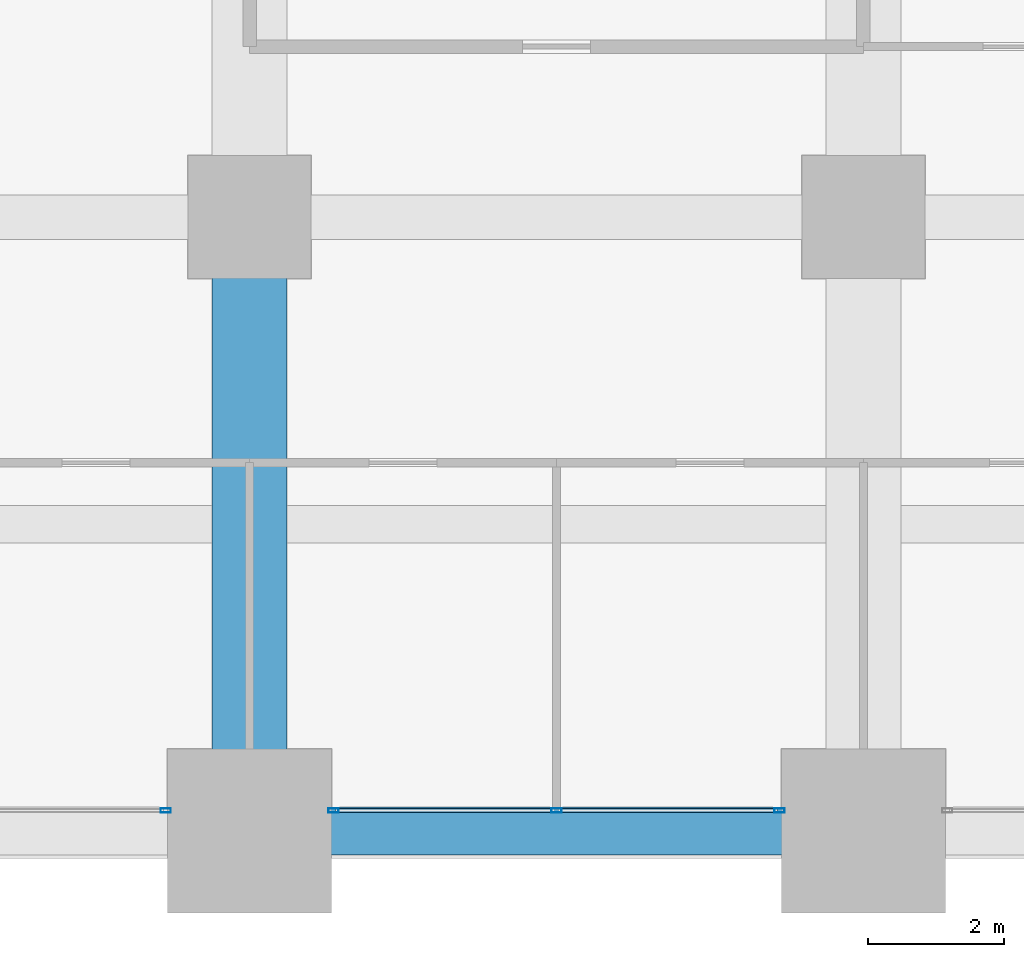
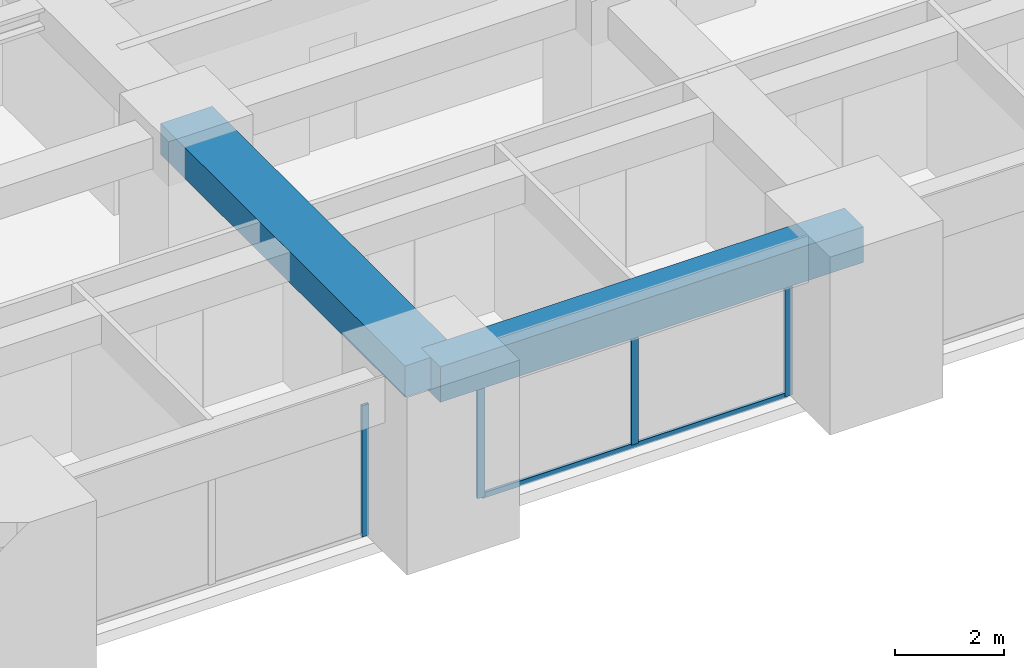
# One storey, part 13 of 40: 5 members, 2 beams, 2 elements without a shape of their own.
"""IFC4 building model written with IfcOpenShell, lengths in metres."""

from ifc_helpers import new_model, si_unit, direction, frame, origin, origin_2d, place, context, subcontext, project, spatial, rectangle, hollow_rectangle, extrude, material, material_profile, profile_set, type_object, element, aggregate, save


model = new_model("IFC4")

# Units and contexts
model_context = context("Model", 3, precision=1e-05, world=origin(), true_north=direction((0.0, 1.0)))
body_context = subcontext(model_context, "Body", "Model", "MODEL_VIEW")
ifc_project = project(units=[si_unit("LENGTHUNIT", "METRE"), si_unit("AREAUNIT", "SQUARE_METRE"), si_unit("VOLUMEUNIT", "CUBIC_METRE"), si_unit("PLANEANGLEUNIT", "RADIAN"), si_unit("MASSUNIT", "GRAM", prefix="KILO")], contexts=[model_context])

# Site, building, storey
site_placement = place(None, origin())
site = spatial("IfcSite", under=ifc_project, at=site_placement, CompositionType="ELEMENT")
building_placement = place(site_placement, origin())
building = spatial("IfcBuilding", under=site, at=building_placement, Name="Zorevar Civic Tower", CompositionType="ELEMENT")
storey_placement = place(building_placement, frame((0.0, 0.0, 129.0)))
storey = spatial("IfcBuildingStorey", under=building, at=storey_placement, Name="L31", CompositionType="ELEMENT", Elevation=129.0)

# Beam
ifc_material_1 = material(Name="Concrete C50/60", Category="concrete")
ifc_material_profile_1 = material_profile(ifc_material_1, rectangle(XDim=1.10009765625, YDim=0.699951171875, at=origin_2d()), Name="RC 1100x700")
ifc_profile_set_1 = profile_set([ifc_material_profile_1], Name="Concrete C50/60")
beam_type_1 = type_object("IfcBeamType", Name="Beam RC 1100x700", PredefinedType="BEAM", material=ifc_profile_set_1)
beam_1_placement = place(storey_placement, frame((36.0, 0.0, 3.39990234375), z_axis=(0.0, 1.0, 0.0), x_axis=(-1.0, 0.0, 0.0)))
element("IfcBeam", 1, at=beam_1_placement, inside=storey, type_object=beam_type_1, Name="Girder L32", PredefinedType="BEAM", context=body_context, shape_type="SweptSolid", body=[
    extrude(rectangle(XDim=1.10009765625, YDim=0.699951171875, at=origin_2d()), origin(), (0.0, 0.0, 1.0), 9.0),
])

# Curtain wall, member
ifc_material_2 = material(Name="Dark grey solar-control glass in black aluminium frame", Category="aluminium")
curtain_wall_type = type_object("IfcCurtainWallType", Name="Curtain wall CW3 mid zone", PredefinedType="NOTDEFINED", material=ifc_material_2)
curtain_wall_1_placement = place(storey_placement, origin())
curtain_wall_1 = element("IfcCurtainWall", 2, at=curtain_wall_1_placement, inside=storey, type_object=curtain_wall_type, Name="CW3 L31", PredefinedType="NOTDEFINED")
ifc_material_3 = material(Name="Aluminium, black anodised", Category="aluminium")
ifc_material_profile_2 = material_profile(ifc_material_3, hollow_rectangle(XDim=0.06005859375, YDim=0.14990234375, WallThickness=0.00390625, at=origin_2d()), Name="AL 150x60x4")
ifc_profile_set_2 = profile_set([ifc_material_profile_2], Name="Aluminium, black anodised")
member_type_1 = type_object("IfcMemberType", Name="CW3 mullion AL 150x60x4", PredefinedType="MULLION", material=ifc_profile_set_2)
member_1_placement = place(storey_placement, frame((34.77001953125, 0.300048828125, 0.0), z_axis=(0.0, 0.0, 1.0), x_axis=(0.0, 1.0, 0.0)))
member_1 = element("IfcMember", 3, at=member_1_placement, type_object=member_type_1, Name="CW3 mullion 3", PredefinedType="MULLION", context=body_context, shape_type="SweptSolid", body=[
    extrude(hollow_rectangle(XDim=0.06005859375, YDim=0.14990234375, WallThickness=0.00390625, at=origin_2d()), origin(), (0.0, 0.0, 1.0), 2.949951171875),
])
aggregate(curtain_wall_1, [member_1])

# Curtain wall, members
curtain_wall_2_placement = place(storey_placement, origin())
curtain_wall_2 = element("IfcCurtainWall", 4, at=curtain_wall_2_placement, inside=storey, type_object=curtain_wall_type, Name="CW3 L31", PredefinedType="NOTDEFINED")
member_2_placement = place(storey_placement, frame((37.22998046875, 0.300048828125, 0.0), z_axis=(0.0, 0.0, 1.0), x_axis=(0.0, 1.0, 0.0)))
member_2 = element("IfcMember", 5, at=member_2_placement, type_object=member_type_1, Name="CW3 mullion 1", PredefinedType="MULLION", context=body_context, shape_type="SweptSolid", body=[
    extrude(hollow_rectangle(XDim=0.06005859375, YDim=0.14990234375, WallThickness=0.00390625, at=origin_2d()), origin(), (0.0, 0.0, 1.0), 2.949951171875),
])
member_3_placement = place(storey_placement, frame((40.5, 0.300048828125, 0.06005859375), z_axis=(0.0, 0.0, 1.0), x_axis=(0.0, 1.0, 0.0)))
member_3 = element("IfcMember", 6, at=member_3_placement, type_object=member_type_1, Name="CW3 mullion 2", PredefinedType="MULLION", context=body_context, shape_type="SweptSolid", body=[
    extrude(hollow_rectangle(XDim=0.06005859375, YDim=0.14990234375, WallThickness=0.00390625, at=origin_2d()), origin(), (0.0, 0.0, 1.0), 2.889892578125),
])
member_4_placement = place(storey_placement, frame((43.77001953125, 0.300048828125, 0.0), z_axis=(0.0, 0.0, 1.0), x_axis=(0.0, 1.0, 0.0)))
member_4 = element("IfcMember", 7, at=member_4_placement, type_object=member_type_1, Name="CW3 mullion 3", PredefinedType="MULLION", context=body_context, shape_type="SweptSolid", body=[
    extrude(hollow_rectangle(XDim=0.06005859375, YDim=0.14990234375, WallThickness=0.00390625, at=origin_2d()), origin(), (0.0, 0.0, 1.0), 2.949951171875),
])
ifc_material_4 = material(Name="Aluminium, black anodised", Category="aluminium")
ifc_material_profile_3 = material_profile(ifc_material_4, hollow_rectangle(XDim=0.06005859375, YDim=0.1201171875, WallThickness=0.0029296875, at=origin_2d()), Name="AL 120x60x3")
ifc_profile_set_3 = profile_set([ifc_material_profile_3], Name="Aluminium, black anodised")
member_type_2 = type_object("IfcMemberType", Name="CW3 transom AL 120x60x3", PredefinedType="USERDEFINED", material=ifc_profile_set_3)
member_5_placement = place(storey_placement, frame((37.260009765625, 0.300048828125, 0.030029296875), z_axis=(1.0, 0.0, 0.0), x_axis=(0.0, 1.0, 0.0)))
member_5 = element("IfcMember", 8, at=member_5_placement, type_object=member_type_2, Name="CW3 sill transom", ObjectType="TRANSOM", PredefinedType="USERDEFINED", context=body_context, shape_type="SweptSolid", body=[
    extrude(hollow_rectangle(XDim=0.06005859375, YDim=0.1201171875, WallThickness=0.0029296875, at=origin_2d()), origin(), (0.0, 0.0, 1.0), 6.47998046875),
])
aggregate(curtain_wall_2, [member_2, member_3, member_4, member_5])

# Beam
ifc_material_5 = material(Name="Concrete C50/60", Category="concrete")
ifc_material_profile_4 = material_profile(ifc_material_5, rectangle(XDim=0.699951171875, YDim=0.800048828125, at=origin_2d()), Name="RC 700x800")
ifc_profile_set_4 = profile_set([ifc_material_profile_4], Name="Concrete C50/60")
beam_type_2 = type_object("IfcBeamType", Name="Edge beam RC 700x800", PredefinedType="SPANDREL", material=ifc_profile_set_4)
beam_2_placement = place(storey_placement, frame((36.0, 0.0, 3.35009765625), z_axis=(1.0, 0.0, 0.0), x_axis=(0.0, 1.0, 0.0)))
element("IfcBeam", 9, at=beam_2_placement, inside=storey, type_object=beam_type_2, Name="Edge beam L32", PredefinedType="SPANDREL", context=body_context, shape_type="SweptSolid", body=[
    extrude(rectangle(XDim=0.699951171875, YDim=0.800048828125, at=origin_2d()), origin(), (0.0, 0.0, 1.0), 9.0),
])

save(model, "model.ifc")
